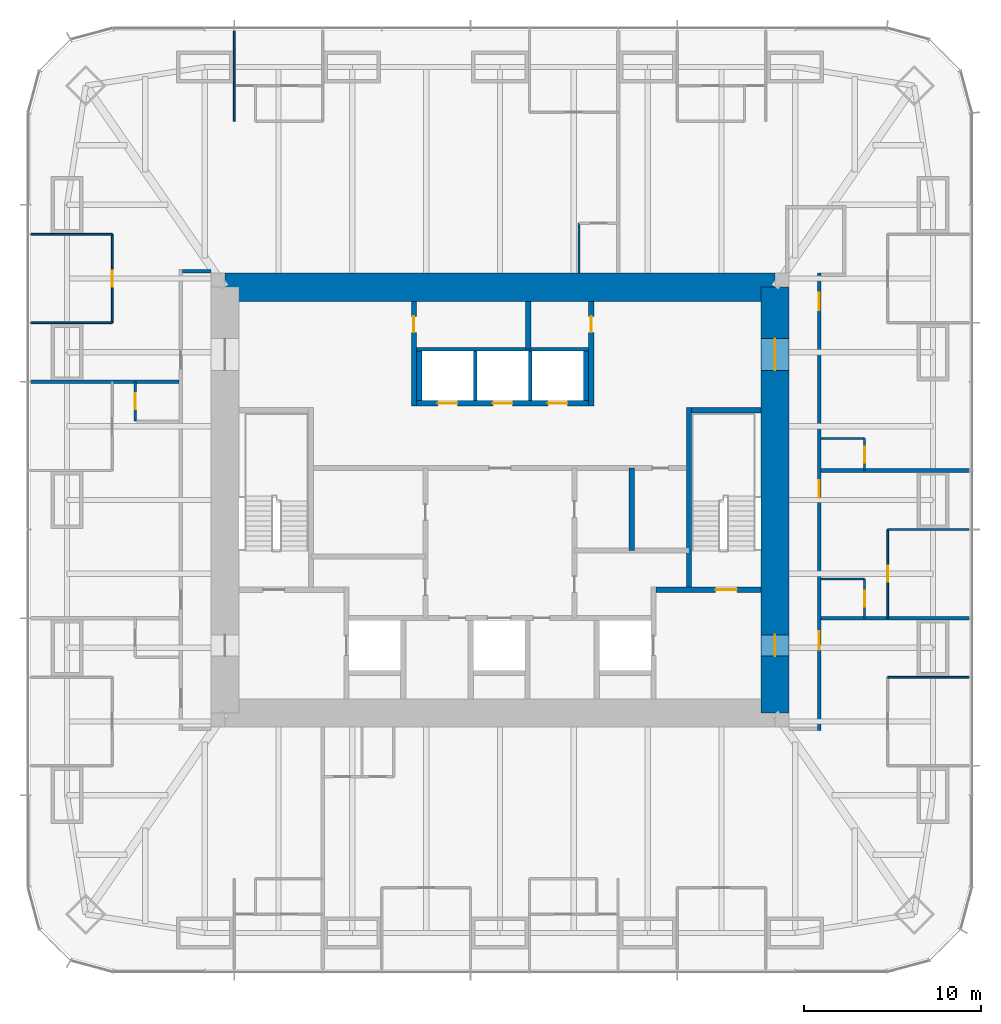
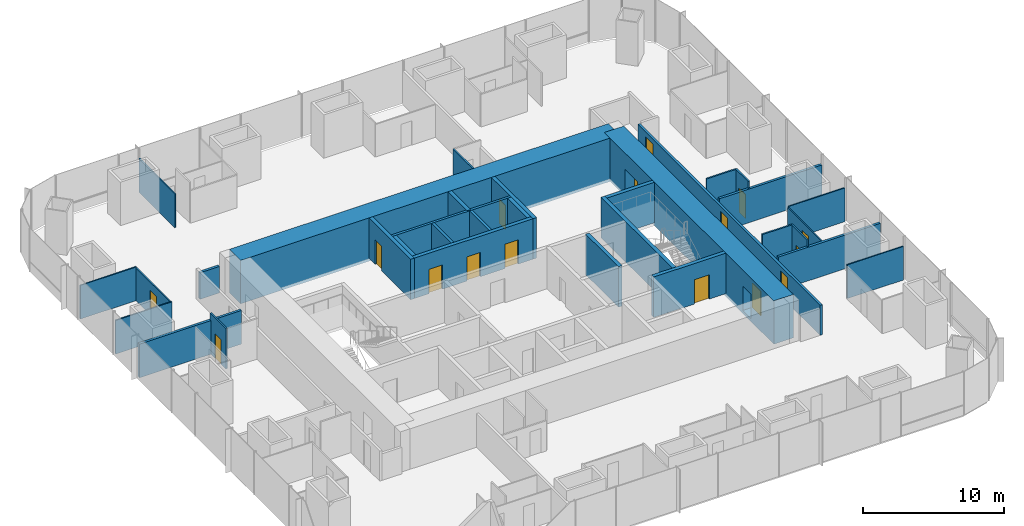
# One storey, part 10 of 12: 33 walls, 16 doors, 16 openings.
"""IFC4 building model written with IfcOpenShell, lengths in metres."""

from ifc_helpers import new_model, si_unit, direction, frame, frame_2d, origin, place, context, subcontext, project, spatial, rectangle, extrude, material, layer, layer_set, type_object, element, fill, save


model = new_model("IFC4")

# Units and contexts
model_context = context("Model", 3, precision=1e-05, world=origin(), true_north=direction((0.0, 1.0)))
body_context = subcontext(model_context, "Body", "Model", "MODEL_VIEW")
ifc_project = project(units=[si_unit("LENGTHUNIT", "METRE"), si_unit("AREAUNIT", "SQUARE_METRE"), si_unit("VOLUMEUNIT", "CUBIC_METRE"), si_unit("PLANEANGLEUNIT", "RADIAN"), si_unit("MASSUNIT", "GRAM", prefix="KILO")], contexts=[model_context])

# Site, building, storey
site_placement = place(None, origin())
site = spatial("IfcSite", under=ifc_project, at=site_placement, CompositionType="ELEMENT")
building_placement = place(site_placement, origin())
building = spatial("IfcBuilding", under=site, at=building_placement, Name="Khuree Lantern Residences", CompositionType="ELEMENT")
storey_placement = place(building_placement, frame((0.0, 0.0, 210.75)))
storey = spatial("IfcBuildingStorey", under=building, at=storey_placement, Name="L52", CompositionType="ELEMENT", Elevation=210.75)

# Wall, opening, door
ifc_material_1 = material(Name="Moisture-resistant gypsum board on steel studs", Category="steel")
ifc_layer_1 = layer(ifc_material_1, 0.125)
ifc_layer_set_1 = layer_set([ifc_layer_1], Name="BATHROOM WALL BTW125")
wall_type_1 = type_object("IfcWallType", Name="BATHROOM WALL BTW125", PredefinedType="PARTITIONING", material=ifc_layer_set_1)
wall_1_placement = place(storey_placement, frame((20.550048828125, -6.656005859375, 0.0), z_axis=(0.0, 0.0, 1.0), x_axis=(0.0, 1.0, 0.0)))
wall_1 = element("IfcWall", 1, at=wall_1_placement, inside=storey, type_object=wall_type_1, Name="L52 BATHROOM WALL 01", PredefinedType="PARTITIONING", context=body_context, shape_type="SweptSolid", body=[
    extrude(rectangle(XDim=2.199951171875, YDim=0.125, at=frame_2d((1.10009765625, 0.0))), origin(), (0.0, 0.0, 1.0), 3.5),
])
opening_1_placement = place(wall_1_placement, frame((0.64990234375, 0.0, 0.0)))
opening_1 = element("IfcOpeningElement", 2, at=opening_1_placement, cuts=wall_1, Name="Opening 52-024", PredefinedType="OPENING", context=body_context, shape_type="SweptSolid", body=[
    extrude(rectangle(XDim=0.89990234375, YDim=2.10009765625, at=frame_2d((0.449951171875, 1.050048828125))), frame((0.0, 0.072509765625, 0.0), z_axis=(0.0, -1.0, 0.0), x_axis=(1.0, 0.0, 0.0)), (0.0, 0.0, 1.0), 0.14501953125),
])
ifc_material_2 = material(Name="Timber door leaf in hardwood frame", Category="wood")
door_type_1 = type_object("IfcDoorType", Name="BATHROOM DOOR 900X2100", OperationType="SINGLE_SWING_LEFT", PredefinedType="DOOR", material=ifc_material_2)
door_1_placement = place(opening_1_placement, origin())
door_1 = element("IfcDoor", 3, at=door_1_placement, inside=storey, type_object=door_type_1, Name="Bathroom door 52-024", OperationType="SINGLE_SWING_LEFT", OverallHeight=2.10009765625, OverallWidth=0.89990234375, PredefinedType="DOOR", context=body_context, shape_type="SweptSolid", body=[
    extrude(rectangle(XDim=0.89990234375, YDim=2.10009765625, at=frame_2d((0.449951171875, 1.050048828125))), frame((0.0, 0.02490234375, 0.0), z_axis=(0.0, -1.0, 0.0), x_axis=(1.0, 0.0, 0.0)), (0.0, 0.0, 1.0), 0.050048828125),
])
fill(opening_1, door_1)

# Wall
wall_2_placement = place(storey_placement, frame((18.10009765625, -4.4560546875, 0.0), z_axis=(0.0, 0.0, 1.0), x_axis=(1.0, 0.0, 0.0)))
element("IfcWall", 4, at=wall_2_placement, inside=storey, type_object=wall_type_1, Name="L52 BATHROOM WALL 01", PredefinedType="PARTITIONING", context=body_context, shape_type="SweptSolid", body=[
    extrude(rectangle(XDim=2.449951171875, YDim=0.125, at=frame_2d((1.22509765625, 0.0))), origin(), (0.0, 0.0, 1.0), 3.5),
])

# Wall, opening, door
wall_3_placement = place(storey_placement, frame((20.550048828125, 1.6640625, 0.0), z_axis=(0.0, 0.0, 1.0), x_axis=(0.0, 1.0, 0.0)))
wall_3 = element("IfcWall", 5, at=wall_3_placement, inside=storey, type_object=wall_type_1, Name="L52 BATHROOM WALL 02", PredefinedType="PARTITIONING", context=body_context, shape_type="SweptSolid", body=[
    extrude(rectangle(XDim=1.800048828125, YDim=0.125, at=frame_2d((0.89990234375, 0.0))), origin(), (0.0, 0.0, 1.0), 3.5),
])
opening_2_placement = place(wall_3_placement, frame((0.449951171875, 0.0, 0.0)))
opening_2 = element("IfcOpeningElement", 6, at=opening_2_placement, cuts=wall_3, Name="Opening 52-029", PredefinedType="OPENING", context=body_context, shape_type="SweptSolid", body=[
    extrude(rectangle(XDim=0.89990234375, YDim=2.10009765625, at=frame_2d((0.449951171875, 1.050048828125))), frame((0.0, 0.072509765625, 0.0), z_axis=(0.0, -1.0, 0.0), x_axis=(1.0, 0.0, 0.0)), (0.0, 0.0, 1.0), 0.14501953125),
])
door_2_placement = place(opening_2_placement, origin())
door_2 = element("IfcDoor", 7, at=door_2_placement, inside=storey, type_object=door_type_1, Name="Bathroom door 52-029", OperationType="SINGLE_SWING_LEFT", OverallHeight=2.10009765625, OverallWidth=0.89990234375, PredefinedType="DOOR", context=body_context, shape_type="SweptSolid", body=[
    extrude(rectangle(XDim=0.89990234375, YDim=2.10009765625, at=frame_2d((0.449951171875, 1.050048828125))), frame((0.0, 0.02490234375, 0.0), z_axis=(0.0, -1.0, 0.0), x_axis=(1.0, 0.0, 0.0)), (0.0, 0.0, 1.0), 0.050048828125),
])
fill(opening_2, door_2)

# Walls
wall_4_placement = place(storey_placement, frame((18.10009765625, 3.464111328125, 0.0), z_axis=(0.0, 0.0, 1.0), x_axis=(1.0, 0.0, 0.0)))
element("IfcWall", 8, at=wall_4_placement, inside=storey, type_object=wall_type_1, Name="L52 BATHROOM WALL 02", PredefinedType="PARTITIONING", context=body_context, shape_type="SweptSolid", body=[
    extrude(rectangle(XDim=2.449951171875, YDim=0.125, at=frame_2d((1.22509765625, 0.0))), origin(), (0.0, 0.0, 1.0), 3.5),
])
wall_5_placement = place(storey_placement, frame((4.4560546875, 12.800048828125, 0.0), z_axis=(0.0, 0.0, 1.0), x_axis=(0.0, 1.0, 0.0)))
element("IfcWall", 9, at=wall_5_placement, inside=storey, type_object=wall_type_1, Name="L52 BATHROOM WALL 03", PredefinedType="PARTITIONING", context=body_context, shape_type="SweptSolid", body=[
    extrude(rectangle(XDim=2.800048828125, YDim=0.125, at=frame_2d((1.39990234375, 0.0))), origin(), (0.0, 0.0, 1.0), 3.5),
])

# Wall, opening, door
wall_6_placement = place(storey_placement, frame((-20.550048828125, 6.656005859375, 0.0), z_axis=(0.0, 0.0, 1.0), x_axis=(0.0, -1.0, 0.0)))
wall_6 = element("IfcWall", 10, at=wall_6_placement, inside=storey, type_object=wall_type_1, Name="L52 BATHROOM WALL 04", PredefinedType="PARTITIONING", context=body_context, shape_type="SweptSolid", body=[
    extrude(rectangle(XDim=2.199951171875, YDim=0.125, at=frame_2d((1.10009765625, 0.0))), origin(), (0.0, 0.0, 1.0), 3.5),
])
opening_3_placement = place(wall_6_placement, frame((0.64990234375, 0.0, 0.0)))
opening_3 = element("IfcOpeningElement", 11, at=opening_3_placement, cuts=wall_6, Name="Opening 52-038", PredefinedType="OPENING", context=body_context, shape_type="SweptSolid", body=[
    extrude(rectangle(XDim=0.89990234375, YDim=2.10009765625, at=frame_2d((0.449951171875, 1.050048828125))), frame((0.0, 0.072509765625, 0.0), z_axis=(0.0, -1.0, 0.0), x_axis=(1.0, 0.0, 0.0)), (0.0, 0.0, 1.0), 0.14501953125),
])
door_3_placement = place(opening_3_placement, origin())
door_3 = element("IfcDoor", 12, at=door_3_placement, inside=storey, type_object=door_type_1, Name="Bathroom door 52-038", OperationType="SINGLE_SWING_LEFT", OverallHeight=2.10009765625, OverallWidth=0.89990234375, PredefinedType="DOOR", context=body_context, shape_type="SweptSolid", body=[
    extrude(rectangle(XDim=0.89990234375, YDim=2.10009765625, at=frame_2d((0.449951171875, 1.050048828125))), frame((0.0, 0.02490234375, 0.0), z_axis=(0.0, -1.0, 0.0), x_axis=(1.0, 0.0, 0.0)), (0.0, 0.0, 1.0), 0.050048828125),
])
fill(opening_3, door_3)

# Wall, openings, doors
ifc_material_3 = material(Name="Dense concrete blockwork", Category="masonry")
ifc_layer_2 = layer(ifc_material_3, 0.300048828125)
ifc_layer_set_2 = layer_set([ifc_layer_2], Name="CORE PARTITION WALL CPW300 EI 120")
wall_type_2 = type_object("IfcWallType", Name="CORE PARTITION WALL CPW300 EI 120", PredefinedType="PARTITIONING", material=ifc_layer_set_2)
wall_7_placement = place(storey_placement, frame((-4.699951171875, 5.449951171875, 0.0), z_axis=(0.0, 0.0, 1.0), x_axis=(1.0, 0.0, 0.0)))
wall_7 = element("IfcWall", 13, at=wall_7_placement, inside=storey, type_object=wall_type_2, Name="L52 CORE WALL PHS", PredefinedType="PARTITIONING", context=body_context, shape_type="SweptSolid", body=[
    extrude(rectangle(XDim=9.699951171875, YDim=0.300048828125, at=frame_2d((4.85009765625, 0.0))), origin(), (0.0, 0.0, 1.0), 3.5),
])
opening_4_placement = place(wall_7_placement, frame((1.199951171875, 0.0, 0.0)))
opening_4 = element("IfcOpeningElement", 14, at=opening_4_placement, cuts=wall_7, Name="Opening 52-009", PredefinedType="OPENING", context=body_context, shape_type="SweptSolid", body=[
    extrude(rectangle(XDim=1.10009765625, YDim=2.10009765625, at=frame_2d((0.550048828125, 1.050048828125))), frame((0.0, 0.16015625, 0.0), z_axis=(0.0, -1.0, 0.0), x_axis=(1.0, 0.0, 0.0)), (0.0, 0.0, 1.0), 0.320068359375),
])
opening_5_placement = place(wall_7_placement, frame((4.300048828125, 0.0, 0.0)))
opening_5 = element("IfcOpeningElement", 15, at=opening_5_placement, cuts=wall_7, Name="Opening 52-010", PredefinedType="OPENING", context=body_context, shape_type="SweptSolid", body=[
    extrude(rectangle(XDim=1.10009765625, YDim=2.10009765625, at=frame_2d((0.550048828125, 1.050048828125))), frame((0.0, 0.16015625, 0.0), z_axis=(0.0, -1.0, 0.0), x_axis=(1.0, 0.0, 0.0)), (0.0, 0.0, 1.0), 0.320068359375),
])
opening_6_placement = place(wall_7_placement, frame((7.39990234375, 0.0, 0.0)))
opening_6 = element("IfcOpeningElement", 16, at=opening_6_placement, cuts=wall_7, Name="Opening 52-011", PredefinedType="OPENING", context=body_context, shape_type="SweptSolid", body=[
    extrude(rectangle(XDim=1.10009765625, YDim=2.10009765625, at=frame_2d((0.550048828125, 1.050048828125))), frame((0.0, 0.16015625, 0.0), z_axis=(0.0, -1.0, 0.0), x_axis=(1.0, 0.0, 0.0)), (0.0, 0.0, 1.0), 0.320068359375),
])
ifc_material_4 = material(Name="Stainless steel lift landing door", Category="steel")
door_type_2 = type_object("IfcDoorType", Name="LIFT LANDING DOOR 1100X2100 E 60", OperationType="DOUBLE_DOOR_SLIDING", PredefinedType="DOOR", material=ifc_material_4)
door_4_placement = place(opening_4_placement, origin())
door_4 = element("IfcDoor", 17, at=door_4_placement, inside=storey, type_object=door_type_2, Name="Landing door PH1 52-009", OperationType="DOUBLE_DOOR_SLIDING", OverallHeight=2.10009765625, OverallWidth=1.10009765625, PredefinedType="DOOR", context=body_context, shape_type="SweptSolid", body=[
    extrude(rectangle(XDim=1.10009765625, YDim=2.10009765625, at=frame_2d((0.550048828125, 1.050048828125))), frame((0.0, 0.02490234375, 0.0), z_axis=(0.0, -1.0, 0.0), x_axis=(1.0, 0.0, 0.0)), (0.0, 0.0, 1.0), 0.050048828125),
])
fill(opening_4, door_4)
door_5_placement = place(opening_5_placement, origin())
door_5 = element("IfcDoor", 18, at=door_5_placement, inside=storey, type_object=door_type_2, Name="Landing door PH2 52-010", OperationType="DOUBLE_DOOR_SLIDING", OverallHeight=2.10009765625, OverallWidth=1.10009765625, PredefinedType="DOOR", context=body_context, shape_type="SweptSolid", body=[
    extrude(rectangle(XDim=1.10009765625, YDim=2.10009765625, at=frame_2d((0.550048828125, 1.050048828125))), frame((0.0, 0.02490234375, 0.0), z_axis=(0.0, -1.0, 0.0), x_axis=(1.0, 0.0, 0.0)), (0.0, 0.0, 1.0), 0.050048828125),
])
fill(opening_5, door_5)
door_6_placement = place(opening_6_placement, origin())
door_6 = element("IfcDoor", 19, at=door_6_placement, inside=storey, type_object=door_type_2, Name="Landing door PH3 52-011", OperationType="DOUBLE_DOOR_SLIDING", OverallHeight=2.10009765625, OverallWidth=1.10009765625, PredefinedType="DOOR", context=body_context, shape_type="SweptSolid", body=[
    extrude(rectangle(XDim=1.10009765625, YDim=2.10009765625, at=frame_2d((0.550048828125, 1.050048828125))), frame((0.0, 0.02490234375, 0.0), z_axis=(0.0, -1.0, 0.0), x_axis=(1.0, 0.0, 0.0)), (0.0, 0.0, 1.0), 0.050048828125),
])
fill(opening_6, door_6)

# Walls
for number, where, z_axis, x_axis, name in (
    (20, (-4.550048828125, 5.60009765625, 0.0), (0.0, 0.0, 1.0), (0.0, 1.0, 0.0), "L52 CORE WALL PHW"),
    (21, (4.85009765625, 5.60009765625, 0.0), (0.0, 0.0, 1.0), (0.0, 1.0, 0.0), "L52 CORE WALL PHE"),
):
    element("IfcWall", number, at=place(storey_placement, frame(where, z_axis=z_axis, x_axis=x_axis)), inside=storey, type_object=wall_type_2, Name=name, PredefinedType="PARTITIONING", context=body_context, shape_type="SweptSolid", body=[
        extrude(rectangle(XDim=2.7998046875, YDim=0.300048828125, at=frame_2d((1.39990234375, 0.0))), origin(), (0.0, 0.0, 1.0), 3.5),
    ])
wall_8_placement = place(storey_placement, frame((7.425048828125, -2.847900390625, 0.0), z_axis=(0.0, 0.0, 1.0), x_axis=(0.0, 1.0, 0.0)))
element("IfcWall", 22, at=wall_8_placement, inside=storey, type_object=wall_type_2, Name="L52 CORE WALL EV", PredefinedType="PARTITIONING", context=body_context, shape_type="SweptSolid", body=[
    extrude(rectangle(XDim=4.64794921875, YDim=0.300048828125, at=frame_2d((2.323974609375, 0.0))), origin(), (0.0, 0.0, 1.0), 3.5),
])

# Wall, opening, door
wall_9_placement = place(storey_placement, frame((-4.85009765625, 5.300048828125, 0.0), z_axis=(0.0, 0.0, 1.0), x_axis=(0.0, 1.0, 0.0)))
wall_9 = element("IfcWall", 23, at=wall_9_placement, inside=storey, type_object=wall_type_2, Name="L52 CORE WALL NW", PredefinedType="PARTITIONING", context=body_context, shape_type="SweptSolid", body=[
    extrude(rectangle(XDim=5.89990234375, YDim=0.300048828125, at=frame_2d((2.949951171875, 0.0))), origin(), (0.0, 0.0, 1.0), 3.5),
])
opening_7_placement = place(wall_9_placement, frame((4.14990234375, 0.0, 0.0)))
opening_7 = element("IfcOpeningElement", 24, at=opening_7_placement, cuts=wall_9, Name="Opening 52-021", PredefinedType="OPENING", context=body_context, shape_type="SweptSolid", body=[
    extrude(rectangle(XDim=0.89990234375, YDim=2.10009765625, at=frame_2d((0.449951171875, 1.050048828125))), frame((0.0, 0.16015625, 0.0), z_axis=(0.0, -1.0, 0.0), x_axis=(1.0, 0.0, 0.0)), (0.0, 0.0, 1.0), 0.320068359375),
])
door_type_3 = type_object("IfcDoorType", Name="DOOR 900X2100 RIGHT HAND", OperationType="SINGLE_SWING_RIGHT", PredefinedType="DOOR", material=ifc_material_2)
door_7_placement = place(opening_7_placement, origin())
door_7 = element("IfcDoor", 25, at=door_7_placement, inside=storey, type_object=door_type_3, Name="Bulky waste store door 52-021", OperationType="SINGLE_SWING_RIGHT", OverallHeight=2.10009765625, OverallWidth=0.89990234375, PredefinedType="DOOR", context=body_context, shape_type="SweptSolid", body=[
    extrude(rectangle(XDim=0.89990234375, YDim=2.10009765625, at=frame_2d((0.449951171875, 1.050048828125))), frame((0.0, 0.02490234375, 0.0), z_axis=(0.0, -1.0, 0.0), x_axis=(1.0, 0.0, 0.0)), (0.0, 0.0, 1.0), 0.050048828125),
])
fill(opening_7, door_7)

wall_10_placement = place(storey_placement, frame((5.14990234375, 5.300048828125, 0.0), z_axis=(0.0, 0.0, 1.0), x_axis=(0.0, 1.0, 0.0)))
wall_10 = element("IfcWall", 26, at=wall_10_placement, inside=storey, type_object=wall_type_2, Name="L52 CORE WALL NE", PredefinedType="PARTITIONING", context=body_context, shape_type="SweptSolid", body=[
    extrude(rectangle(XDim=5.89990234375, YDim=0.300048828125, at=frame_2d((2.949951171875, 0.0))), origin(), (0.0, 0.0, 1.0), 3.5),
])
opening_8_placement = place(wall_10_placement, frame((4.14990234375, 0.0, 0.0)))
opening_8 = element("IfcOpeningElement", 27, at=opening_8_placement, cuts=wall_10, Name="Opening 52-022", PredefinedType="OPENING", context=body_context, shape_type="SweptSolid", body=[
    extrude(rectangle(XDim=0.89990234375, YDim=2.10009765625, at=frame_2d((0.449951171875, 1.050048828125))), frame((0.0, 0.16015625, 0.0), z_axis=(0.0, -1.0, 0.0), x_axis=(1.0, 0.0, 0.0)), (0.0, 0.0, 1.0), 0.320068359375),
])
door_type_4 = type_object("IfcDoorType", Name="DOOR 900X2100", OperationType="SINGLE_SWING_LEFT", PredefinedType="DOOR", material=ifc_material_2)
door_8_placement = place(opening_8_placement, origin())
door_8 = element("IfcDoor", 28, at=door_8_placement, inside=storey, type_object=door_type_4, Name="Comms room door 52-022", OperationType="SINGLE_SWING_LEFT", OverallHeight=2.10009765625, OverallWidth=0.89990234375, PredefinedType="DOOR", context=body_context, shape_type="SweptSolid", body=[
    extrude(rectangle(XDim=0.89990234375, YDim=2.10009765625, at=frame_2d((0.449951171875, 1.050048828125))), frame((0.0, 0.02490234375, 0.0), z_axis=(0.0, -1.0, 0.0), x_axis=(1.0, 0.0, 0.0)), (0.0, 0.0, 1.0), 0.050048828125),
])
fill(opening_8, door_8)

# Walls
wall_11_placement = place(storey_placement, frame((1.60009765625, 8.5, 0.0), z_axis=(0.0, 0.0, 1.0), x_axis=(0.0, 1.0, 0.0)))
element("IfcWall", 29, at=wall_11_placement, inside=storey, type_object=wall_type_2, Name="L52 CORE WALL NX", PredefinedType="PARTITIONING", context=body_context, shape_type="SweptSolid", body=[
    extrude(rectangle(XDim=2.699951171875, YDim=0.300048828125, at=frame_2d((1.35009765625, 0.0))), origin(), (0.0, 0.0, 1.0), 3.5),
])
ifc_material_5 = material(Name="Gypsum board on steel studs", Category="steel")
ifc_layer_3 = layer(ifc_material_5, 0.199951171875)
ifc_layer_set_3 = layer_set([ifc_layer_3], Name="CORRIDOR WALL CRW200 EI 60")
wall_type_3 = type_object("IfcWallType", Name="CORRIDOR WALL CRW200 EI 60", PredefinedType="PARTITIONING", material=ifc_layer_set_3)
wall_12_placement = place(storey_placement, frame((-16.300048828125, 12.89990234375, 0.0), z_axis=(0.0, 0.0, 1.0), x_axis=(-1.0, 0.0, 0.0)))
element("IfcWall", 30, at=wall_12_placement, inside=storey, type_object=wall_type_3, Name="L52 WEST CORRIDOR NORTH END WALL", PredefinedType="PARTITIONING", context=body_context, shape_type="SweptSolid", body=[
    extrude(rectangle(XDim=1.599853515625, YDim=0.199951171875, at=frame_2d((0.7998046875, 0.0))), origin(), (0.0, 0.0, 1.0), 2.300048828125),
])

# Wall, openings, doors
wall_13_placement = place(storey_placement, frame((18.0, -13.0, 0.0), z_axis=(0.0, 0.0, 1.0), x_axis=(0.0, 1.0, 0.0)))
wall_13 = element("IfcWall", 31, at=wall_13_placement, inside=storey, type_object=wall_type_3, Name="L52 CORRIDOR WALL EAST 1", PredefinedType="PARTITIONING", context=body_context, shape_type="SweptSolid", body=[
    extrude(rectangle(XDim=25.800048828125, YDim=0.199951171875, at=frame_2d((12.89990234375, 0.0))), origin(), (0.0, 0.0, 1.0), 2.60009765625),
])
opening_9_placement = place(wall_13_placement, frame((13.114013671875, 0.0, 0.0)))
opening_9 = element("IfcOpeningElement", 32, at=opening_9_placement, cuts=wall_13, Name="Opening 52-025", PredefinedType="OPENING", context=body_context, shape_type="SweptSolid", body=[
    extrude(rectangle(XDim=1.0, YDim=2.199951171875, at=frame_2d((0.5, 1.10009765625))), frame((0.0, 0.10986328125, 0.0), z_axis=(0.0, -1.0, 0.0), x_axis=(1.0, 0.0, 0.0)), (0.0, 0.0, 1.0), 0.219970703125),
])
opening_10_placement = place(wall_13_placement, frame((23.68408203125, 0.0, 0.0)))
opening_10 = element("IfcOpeningElement", 33, at=opening_10_placement, cuts=wall_13, Name="Opening 52-030", PredefinedType="OPENING", context=body_context, shape_type="SweptSolid", body=[
    extrude(rectangle(XDim=1.0, YDim=2.199951171875, at=frame_2d((0.5, 1.10009765625))), frame((0.0, 0.10986328125, 0.0), z_axis=(0.0, -1.0, 0.0), x_axis=(1.0, 0.0, 0.0)), (0.0, 0.0, 1.0), 0.219970703125),
])
opening_11_placement = place(wall_13_placement, frame((4.60009765625, 0.0, 0.0)))
opening_11 = element("IfcOpeningElement", 34, at=opening_11_placement, cuts=wall_13, Name="Opening 52-052", PredefinedType="OPENING", context=body_context, shape_type="SweptSolid", body=[
    extrude(rectangle(XDim=1.0, YDim=2.199951171875, at=frame_2d((0.5, 1.10009765625))), frame((0.0, 0.10986328125, 0.0), z_axis=(0.0, -1.0, 0.0), x_axis=(1.0, 0.0, 0.0)), (0.0, 0.0, 1.0), 0.219970703125),
])
door_type_5 = type_object("IfcDoorType", Name="APARTMENT ENTRANCE DOOR 1000X2200 EI 30S", OperationType="SINGLE_SWING_LEFT", PredefinedType="DOOR", material=ifc_material_2)
door_9_placement = place(opening_9_placement, origin())
door_9 = element("IfcDoor", 35, at=door_9_placement, inside=storey, type_object=door_type_5, Name="Apartment 01 entrance door 52-025", OperationType="SINGLE_SWING_LEFT", OverallHeight=2.199951171875, OverallWidth=1.0, PredefinedType="DOOR", context=body_context, shape_type="SweptSolid", body=[
    extrude(rectangle(XDim=1.0, YDim=2.199951171875, at=frame_2d((0.5, 1.10009765625))), frame((0.0, 0.02490234375, 0.0), z_axis=(0.0, -1.0, 0.0), x_axis=(1.0, 0.0, 0.0)), (0.0, 0.0, 1.0), 0.050048828125),
])
fill(opening_9, door_9)
door_10_placement = place(opening_10_placement, origin())
door_10 = element("IfcDoor", 36, at=door_10_placement, inside=storey, type_object=door_type_5, Name="Apartment 02 entrance door 52-030", OperationType="SINGLE_SWING_LEFT", OverallHeight=2.199951171875, OverallWidth=1.0, PredefinedType="DOOR", context=body_context, shape_type="SweptSolid", body=[
    extrude(rectangle(XDim=1.0, YDim=2.199951171875, at=frame_2d((0.5, 1.10009765625))), frame((0.0, 0.02490234375, 0.0), z_axis=(0.0, -1.0, 0.0), x_axis=(1.0, 0.0, 0.0)), (0.0, 0.0, 1.0), 0.050048828125),
])
fill(opening_10, door_10)
door_11_placement = place(opening_11_placement, origin())
door_11 = element("IfcDoor", 37, at=door_11_placement, inside=storey, type_object=door_type_5, Name="Apartment 06 entrance door 52-052", OperationType="SINGLE_SWING_LEFT", OverallHeight=2.199951171875, OverallWidth=1.0, PredefinedType="DOOR", context=body_context, shape_type="SweptSolid", body=[
    extrude(rectangle(XDim=1.0, YDim=2.199951171875, at=frame_2d((0.5, 1.10009765625))), frame((0.0, 0.02490234375, 0.0), z_axis=(0.0, -1.0, 0.0), x_axis=(1.0, 0.0, 0.0)), (0.0, 0.0, 1.0), 0.050048828125),
])
fill(opening_11, door_11)

ifc_material_6 = material(Name="Concrete C50/60", Category="concrete")
ifc_layer_4 = layer(ifc_material_6, 1.60009765625)
ifc_layer_set_4 = layer_set([ifc_layer_4], Name="CW1600-C50 CORE WALL C50 1600")
wall_type_4 = type_object("IfcWallType", Name="CW1600-C50 CORE WALL C50 1600", PredefinedType="SHEAR", material=ifc_layer_set_4)
wall_14_placement = place(storey_placement, frame((15.5, -12.0, -0.25), z_axis=(0.0, 0.0, 1.0), x_axis=(0.0, 1.0, 0.0)))
wall_14 = element("IfcWall", 38, at=wall_14_placement, inside=storey, type_object=wall_type_4, Name="Core wall E", PredefinedType="SHEAR", context=body_context, shape_type="SweptSolid", body=[
    extrude(rectangle(XDim=24.0, YDim=1.60009765625, at=frame_2d((12.0, 0.0))), origin(), (0.0, 0.0, 1.0), 3.75),
])
opening_12_placement = place(wall_14_placement, frame((3.199951171875, 0.0, 0.25)))
opening_12 = element("IfcOpeningElement", 39, at=opening_12_placement, cuts=wall_14, Name="Opening 52-005", PredefinedType="OPENING", context=body_context, shape_type="SweptSolid", body=[
    extrude(rectangle(XDim=1.199951171875, YDim=2.10009765625, at=frame_2d((0.60009765625, 1.050048828125))), frame((0.0, 0.81005859375, 0.0), z_axis=(0.0, -1.0, 0.0), x_axis=(1.0, 0.0, 0.0)), (0.0, 0.0, 1.0), 1.6201171875),
])
opening_13_placement = place(wall_14_placement, frame((19.300048828125, 0.0, 0.25)))
opening_13 = element("IfcOpeningElement", 40, at=opening_13_placement, cuts=wall_14, Name="Opening 52-006", PredefinedType="OPENING", context=body_context, shape_type="SweptSolid", body=[
    extrude(rectangle(XDim=1.800048828125, YDim=2.10009765625, at=frame_2d((0.89990234375, 1.050048828125))), frame((0.0, 0.81005859375, 0.0), z_axis=(0.0, -1.0, 0.0), x_axis=(1.0, 0.0, 0.0)), (0.0, 0.0, 1.0), 1.6201171875),
])
ifc_material_7 = material(Name="Steel door leaf in steel frame", Category="steel")
door_type_6 = type_object("IfcDoorType", Name="LOBBY DOOR 1200X2100 EI 120", OperationType="SINGLE_SWING_LEFT", PredefinedType="DOOR", material=ifc_material_7)
door_12_placement = place(opening_12_placement, origin())
door_12 = element("IfcDoor", 41, at=door_12_placement, inside=storey, type_object=door_type_6, Name="Firefighting lobby door 52-005", OperationType="SINGLE_SWING_LEFT", OverallHeight=2.10009765625, OverallWidth=1.199951171875, PredefinedType="DOOR", context=body_context, shape_type="SweptSolid", body=[
    extrude(rectangle(XDim=1.199951171875, YDim=2.10009765625, at=frame_2d((0.60009765625, 1.050048828125))), frame((0.0, 0.02490234375, 0.0), z_axis=(0.0, -1.0, 0.0), x_axis=(1.0, 0.0, 0.0)), (0.0, 0.0, 1.0), 0.050048828125),
])
fill(opening_12, door_12)
door_type_7 = type_object("IfcDoorType", Name="LOBBY DOUBLE DOOR 1800X2100 EI 60", OperationType="DOUBLE_DOOR_SINGLE_SWING", PredefinedType="DOOR", material=ifc_material_7)
door_13_placement = place(opening_13_placement, origin())
door_13 = element("IfcDoor", 42, at=door_13_placement, inside=storey, type_object=door_type_7, Name="Lift lobby door 52-006", OperationType="DOUBLE_DOOR_SINGLE_SWING", OverallHeight=2.10009765625, OverallWidth=1.800048828125, PredefinedType="DOOR", context=body_context, shape_type="SweptSolid", body=[
    extrude(rectangle(XDim=1.800048828125, YDim=2.10009765625, at=frame_2d((0.89990234375, 1.050048828125))), frame((0.0, 0.02490234375, 0.0), z_axis=(0.0, -1.0, 0.0), x_axis=(1.0, 0.0, 0.0)), (0.0, 0.0, 1.0), 0.050048828125),
])
fill(opening_13, door_13)

# Walls
wall_15_placement = place(storey_placement, frame((-15.5, 12.0, -0.25), z_axis=(0.0, 0.0, 1.0), x_axis=(1.0, 0.0, 0.0)))
element("IfcWall", 43, at=wall_15_placement, inside=storey, type_object=wall_type_4, Name="Core wall N", PredefinedType="SHEAR", context=body_context, shape_type="SweptSolid", body=[
    extrude(rectangle(XDim=31.0, YDim=1.60009765625, at=frame_2d((15.5, 0.0))), origin(), (0.0, 0.0, 1.0), 3.75),
])
ifc_layer_5 = layer(ifc_material_5, 0.199951171875)
ifc_layer_set_5 = layer_set([ifc_layer_5], Name="DEMISING WALL DMW200 EI 90")
wall_type_5 = type_object("IfcWallType", Name="DEMISING WALL DMW200 EI 90", PredefinedType="PARTITIONING", material=ifc_layer_set_5)
for number, where, z_axis, x_axis, name in (
    (44, (18.10009765625, -6.656005859375, 0.0), (0.0, 0.0, 1.0), (1.0, 0.0, 0.0), "L52 DEMISING WALL 01"),
    (45, (18.10009765625, 1.6640625, 0.0), (0.0, 0.0, 1.0), (1.0, 0.0, 0.0), "L52 DEMISING WALL 02"),
    (46, (-18.10009765625, 6.656005859375, 0.0), (0.0, 0.0, 1.0), (-1.0, 0.0, 0.0), "L52 DEMISING WALL 04"),
):
    element("IfcWall", number, at=place(storey_placement, frame(where, z_axis=z_axis, x_axis=x_axis)), inside=storey, type_object=wall_type_5, Name=name, PredefinedType="PARTITIONING", context=body_context, shape_type="SweptSolid", body=[
        extrude(rectangle(XDim=8.349853515625, YDim=0.199951171875, at=frame_2d((4.1748046875, 0.0))), origin(), (0.0, 0.0, 1.0), 2.909912109375),
    ])
ifc_layer_6 = layer(ifc_material_5, 0.10009765625)
ifc_layer_set_6 = layer_set([ifc_layer_6], Name="PARTITION PT100")
wall_type_6 = type_object("IfcWallType", Name="PARTITION PT100", PredefinedType="PARTITIONING", material=ifc_layer_set_6)
wall_16_placement = place(storey_placement, frame((21.85009765625, -1.6640625, 0.0), z_axis=(0.0, 0.0, 1.0), x_axis=(1.0, 0.0, 0.0)))
element("IfcWall", 47, at=wall_16_placement, inside=storey, type_object=wall_type_6, Name="L52 PARTITION 01", PredefinedType="PARTITIONING", context=body_context, shape_type="SweptSolid", body=[
    extrude(rectangle(XDim=4.599853515625, YDim=0.10009765625, at=frame_2d((2.2998046875, 0.0))), origin(), (0.0, 0.0, 1.0), 2.909912109375),
])
wall_17_placement = place(storey_placement, frame((-14.97607421875, 21.344970703125, 0.0), z_axis=(0.0, 0.0, 1.0), x_axis=(0.0, 1.0, 0.0)))
element("IfcWall", 48, at=wall_17_placement, inside=storey, type_object=wall_type_6, Name="L52 PARTITION 03", PredefinedType="PARTITIONING", context=body_context, shape_type="SweptSolid", body=[
    extrude(rectangle(XDim=5.10498046875, YDim=0.10009765625, at=frame_2d((2.552490234375, 0.0))), origin(), (0.0, 0.0, 1.0), 2.909912109375),
])
for number, where, z_axis, x_axis, name in (
    (49, (-21.85009765625, 14.97607421875, 0.0), (0.0, 0.0, 1.0), (-1.0, 0.0, 0.0), "L52 PARTITION 03"),
    (50, (-21.85009765625, 9.98388671875, 0.0), (0.0, 0.0, 1.0), (-1.0, 0.0, 0.0), "L52 PARTITION 03"),
    (51, (21.85009765625, -9.98388671875, 0.0), (0.0, 0.0, 1.0), (1.0, 0.0, 0.0), "L52 PARTITION 06"),
):
    element("IfcWall", number, at=place(storey_placement, frame(where, z_axis=z_axis, x_axis=x_axis)), inside=storey, type_object=wall_type_6, Name=name, PredefinedType="PARTITIONING", context=body_context, shape_type="SweptSolid", body=[
        extrude(rectangle(XDim=4.599853515625, YDim=0.10009765625, at=frame_2d((2.2998046875, 0.0))), origin(), (0.0, 0.0, 1.0), 2.909912109375),
    ])

# Wall, opening, door
wall_18_placement = place(storey_placement, frame((21.85009765625, -6.656005859375, 0.0), z_axis=(0.0, 0.0, 1.0), x_axis=(0.0, 1.0, 0.0)))
wall_18 = element("IfcWall", 52, at=wall_18_placement, inside=storey, type_object=wall_type_6, Name="L52 PARTITION 01", PredefinedType="PARTITIONING", context=body_context, shape_type="SweptSolid", body=[
    extrude(rectangle(XDim=4.991943359375, YDim=0.10009765625, at=frame_2d((2.49609375, 0.0))), origin(), (0.0, 0.0, 1.0), 2.81005859375),
])
opening_14_placement = place(wall_18_placement, frame((2.0458984375, 0.0, 0.0)))
opening_14 = element("IfcOpeningElement", 53, at=opening_14_placement, cuts=wall_18, Name="Opening 52-023", PredefinedType="OPENING", context=body_context, shape_type="SweptSolid", body=[
    extrude(rectangle(XDim=0.89990234375, YDim=2.10009765625, at=frame_2d((0.449951171875, 1.050048828125))), frame((0.0, 0.06005859375, 0.0), z_axis=(0.0, -1.0, 0.0), x_axis=(1.0, 0.0, 0.0)), (0.0, 0.0, 1.0), 0.1201171875),
])
door_type_8 = type_object("IfcDoorType", Name="BEDROOM DOOR 900X2100", OperationType="SINGLE_SWING_LEFT", PredefinedType="DOOR", material=ifc_material_2)
door_14_placement = place(opening_14_placement, origin())
door_14 = element("IfcDoor", 54, at=door_14_placement, inside=storey, type_object=door_type_8, Name="Bedroom door 52-023", OperationType="SINGLE_SWING_LEFT", OverallHeight=2.10009765625, OverallWidth=0.89990234375, PredefinedType="DOOR", context=body_context, shape_type="SweptSolid", body=[
    extrude(rectangle(XDim=0.89990234375, YDim=2.10009765625, at=frame_2d((0.449951171875, 1.050048828125))), frame((0.0, 0.02490234375, 0.0), z_axis=(0.0, -1.0, 0.0), x_axis=(1.0, 0.0, 0.0)), (0.0, 0.0, 1.0), 0.050048828125),
])
fill(opening_14, door_14)

wall_19_placement = place(storey_placement, frame((-21.85009765625, 14.97607421875, 0.0), z_axis=(0.0, 0.0, 1.0), x_axis=(0.0, -1.0, 0.0)))
wall_19 = element("IfcWall", 55, at=wall_19_placement, inside=storey, type_object=wall_type_6, Name="L52 PARTITION 03", PredefinedType="PARTITIONING", context=body_context, shape_type="SweptSolid", body=[
    extrude(rectangle(XDim=4.9921875, YDim=0.10009765625, at=frame_2d((2.49609375, 0.0))), origin(), (0.0, 0.0, 1.0), 2.81005859375),
])
opening_15_placement = place(wall_19_placement, frame((2.0458984375, 0.0, 0.0)))
opening_15 = element("IfcOpeningElement", 56, at=opening_15_placement, cuts=wall_19, Name="Opening 52-034", PredefinedType="OPENING", context=body_context, shape_type="SweptSolid", body=[
    extrude(rectangle(XDim=0.89990234375, YDim=2.10009765625, at=frame_2d((0.449951171875, 1.050048828125))), frame((0.0, 0.06005859375, 0.0), z_axis=(0.0, -1.0, 0.0), x_axis=(1.0, 0.0, 0.0)), (0.0, 0.0, 1.0), 0.1201171875),
])
door_15_placement = place(opening_15_placement, origin())
door_15 = element("IfcDoor", 57, at=door_15_placement, inside=storey, type_object=door_type_8, Name="Bedroom door 52-034", OperationType="SINGLE_SWING_LEFT", OverallHeight=2.10009765625, OverallWidth=0.89990234375, PredefinedType="DOOR", context=body_context, shape_type="SweptSolid", body=[
    extrude(rectangle(XDim=0.89990234375, YDim=2.10009765625, at=frame_2d((0.449951171875, 1.050048828125))), frame((0.0, 0.02490234375, 0.0), z_axis=(0.0, -1.0, 0.0), x_axis=(1.0, 0.0, 0.0)), (0.0, 0.0, 1.0), 0.050048828125),
])
fill(opening_15, door_15)

# Walls
ifc_layer_7 = layer(ifc_material_3, 0.199951171875)
ifc_layer_set_7 = layer_set([ifc_layer_7], Name="SHAFT WALL SHW200 EI 120")
wall_type_7 = type_object("IfcWallType", Name="SHAFT WALL SHW200 EI 120", PredefinedType="PARTITIONING", material=ifc_layer_set_7)
wall_20_placement = place(storey_placement, frame((-4.699951171875, 8.5, 0.0), z_axis=(0.0, 0.0, 1.0), x_axis=(1.0, 0.0, 0.0)))
element("IfcWall", 58, at=wall_20_placement, inside=storey, type_object=wall_type_7, Name="L52 CORE WALL PHN", PredefinedType="PARTITIONING", context=body_context, shape_type="SweptSolid", body=[
    extrude(rectangle(XDim=9.699951171875, YDim=0.199951171875, at=frame_2d((4.85009765625, 0.0))), origin(), (0.0, 0.0, 1.0), 3.5),
])
for number, where, z_axis, x_axis, name in (
    (59, (-1.39990234375, 5.60009765625, 0.0), (0.0, 0.0, 1.0), (0.0, 1.0, 0.0), "L52 CORE WALL PHD1"),
    (60, (1.699951171875, 5.60009765625, 0.0), (0.0, 0.0, 1.0), (0.0, 1.0, 0.0), "L52 CORE WALL PHD2"),
):
    element("IfcWall", number, at=place(storey_placement, frame(where, z_axis=z_axis, x_axis=x_axis)), inside=storey, type_object=wall_type_7, Name=name, PredefinedType="PARTITIONING", context=body_context, shape_type="SweptSolid", body=[
        extrude(rectangle(XDim=2.7998046875, YDim=0.199951171875, at=frame_2d((1.39990234375, 0.0))), origin(), (0.0, 0.0, 1.0), 3.5),
    ])
ifc_layer_8 = layer(ifc_material_6, 0.300048828125)
ifc_layer_set_8 = layer_set([ifc_layer_8], Name="STAIR WALL SRW300 C50/60 REI 240")
wall_type_8 = type_object("IfcWallType", Name="STAIR WALL SRW300 C50/60 REI 240", PredefinedType="SOLIDWALL", material=ifc_layer_set_8)
wall_21_placement = place(storey_placement, frame((10.64990234375, -4.89990234375, 0.0), z_axis=(0.0, 0.0, 1.0), x_axis=(0.0, 1.0, 0.0)))
element("IfcWall", 61, at=wall_21_placement, inside=storey, type_object=wall_type_8, Name="L52 STAIR WALL ST2E", PredefinedType="SOLIDWALL", context=body_context, shape_type="SweptSolid", body=[
    extrude(rectangle(XDim=10.099853515625, YDim=0.300048828125, at=frame_2d((5.0498046875, 0.0))), origin(), (0.0, 0.0, 1.0), 3.5),
])

# Wall, opening, door
wall_22_placement = place(storey_placement, frame((14.699951171875, -5.050048828125, 0.0), z_axis=(0.0, 0.0, 1.0), x_axis=(-1.0, 0.0, 0.0)))
wall_22 = element("IfcWall", 62, at=wall_22_placement, inside=storey, type_object=wall_type_8, Name="L52 STAIR WALL ST2S", PredefinedType="SOLIDWALL", context=body_context, shape_type="SweptSolid", body=[
    extrude(rectangle(XDim=5.89990234375, YDim=0.300048828125, at=frame_2d((2.949951171875, 0.0))), origin(), (0.0, 0.0, 1.0), 3.5),
])
opening_16_placement = place(wall_22_placement, frame((1.35009765625, 0.0, 0.0)))
opening_16 = element("IfcOpeningElement", 63, at=opening_16_placement, cuts=wall_22, Name="Opening 52-004", PredefinedType="OPENING", context=body_context, shape_type="SweptSolid", body=[
    extrude(rectangle(XDim=1.199951171875, YDim=2.10009765625, at=frame_2d((0.60009765625, 1.050048828125))), frame((0.0, 0.16015625, 0.0), z_axis=(0.0, -1.0, 0.0), x_axis=(1.0, 0.0, 0.0)), (0.0, 0.0, 1.0), 0.320068359375),
])
door_type_9 = type_object("IfcDoorType", Name="STAIR DOOR 1200X2100 EI 120", OperationType="SINGLE_SWING_LEFT", PredefinedType="DOOR", material=ifc_material_7)
door_16_placement = place(opening_16_placement, origin())
door_16 = element("IfcDoor", 64, at=door_16_placement, inside=storey, type_object=door_type_9, Name="Stair ST2 door 52-004", OperationType="SINGLE_SWING_LEFT", OverallHeight=2.10009765625, OverallWidth=1.199951171875, PredefinedType="DOOR", context=body_context, shape_type="SweptSolid", body=[
    extrude(rectangle(XDim=1.199951171875, YDim=2.10009765625, at=frame_2d((0.60009765625, 1.050048828125))), frame((0.0, 0.02490234375, 0.0), z_axis=(0.0, -1.0, 0.0), x_axis=(1.0, 0.0, 0.0)), (0.0, 0.0, 1.0), 0.050048828125),
])
fill(opening_16, door_16)

# Wall
wall_23_placement = place(storey_placement, frame((14.699951171875, 5.050048828125, 0.0), z_axis=(0.0, 0.0, 1.0), x_axis=(-1.0, 0.0, 0.0)))
element("IfcWall", 65, at=wall_23_placement, inside=storey, type_object=wall_type_8, Name="L52 STAIR WALL ST2N", PredefinedType="SOLIDWALL", context=body_context, shape_type="SweptSolid", body=[
    extrude(rectangle(XDim=3.89990234375, YDim=0.300048828125, at=frame_2d((1.949951171875, 0.0))), origin(), (0.0, 0.0, 1.0), 3.5),
])

save(model, "model.ifc")
